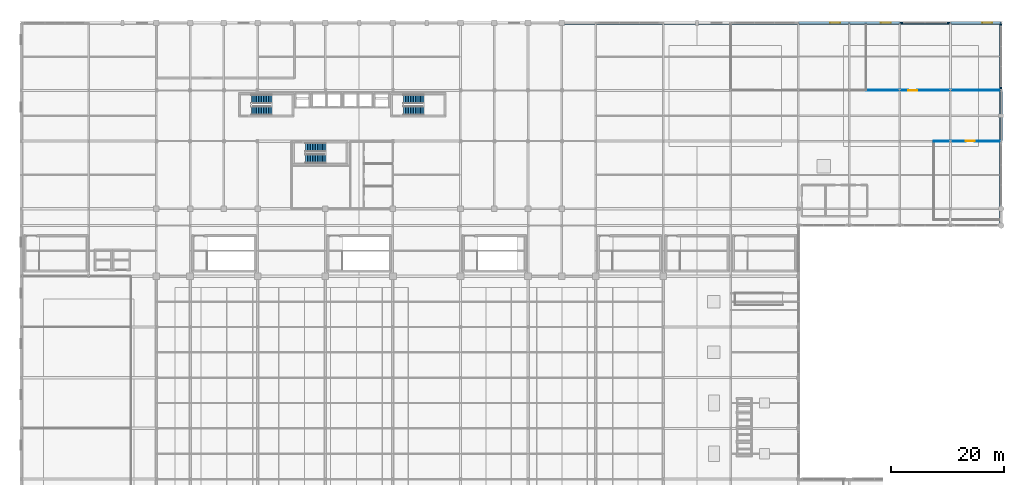
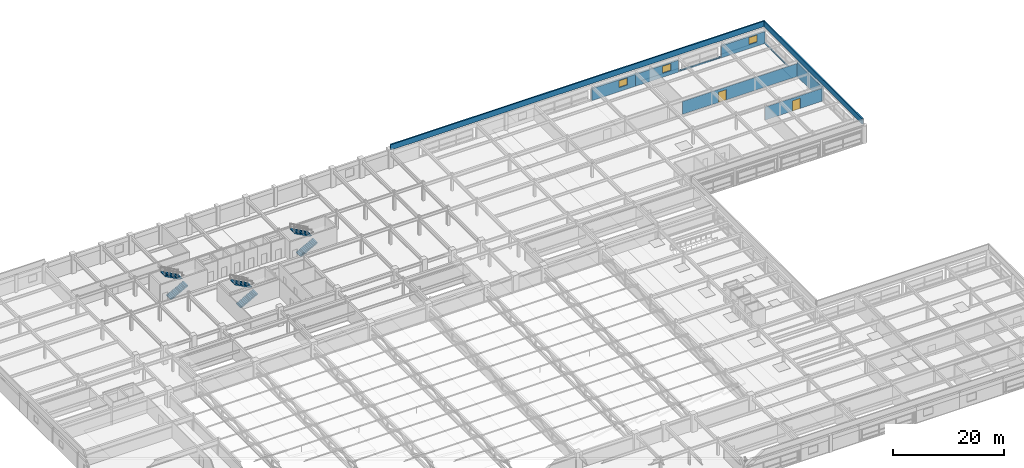
# One storey, part 99 of 108: 10 walls, 6 stair flights, 3 windows, 2 doors, 5 openings, 3 elements without a shape of their own.
"""IFC4 building model written with IfcOpenShell, lengths in metres."""

from ifc_helpers import new_model, si_unit, direction, frame, frame_2d, origin, place, context, subcontext, project, spatial, polyline, rectangle, outline, extrude, material, layer, layer_set, type_object, element, fill, aggregate, save


model = new_model("IFC4")

# Units and contexts
model_context = context("Model", 3, precision=1e-05, world=origin(), true_north=direction((0.0, 1.0)))
body_context = subcontext(model_context, "Body", "Model", "MODEL_VIEW")
ifc_project = project(units=[si_unit("LENGTHUNIT", "METRE"), si_unit("AREAUNIT", "SQUARE_METRE"), si_unit("VOLUMEUNIT", "CUBIC_METRE"), si_unit("PLANEANGLEUNIT", "RADIAN"), si_unit("MASSUNIT", "GRAM", prefix="KILO")], contexts=[model_context])

# Site, building, storey
site_placement = place(None, origin())
site = spatial("IfcSite", under=ifc_project, at=site_placement, CompositionType="ELEMENT")
building_placement = place(site_placement, origin())
building = spatial("IfcBuilding", under=site, at=building_placement, Name="Kaldorvane Square Convention Centre", CompositionType="ELEMENT")
storey_placement = place(building_placement, frame((0.0, 0.0, 23.399993896484375)))
storey = spatial("IfcBuildingStorey", under=building, at=storey_placement, Name="L04", CompositionType="ELEMENT", Elevation=23.399993896484375)

# Wall, opening, window
ifc_material_1 = material(Name="Concrete f'c = 42 MPa (Normalweight)", Category="concrete")
ifc_layer_1 = layer(ifc_material_1, 0.3800048828125)
ifc_layer_set_1 = layer_set([ifc_layer_1], Name="Concrete f'c = 42 MPa (Normalweight)")
wall_type_1 = type_object("IfcWallType", Name="WL-EXT-380", PredefinedType="STANDARD", material=ifc_layer_set_1)
wall_1_placement = place(storey_placement, frame((147.0, 117.0, 0.0), z_axis=(0.0, 0.0, 1.0), x_axis=(-1.0, 0.0, 0.0)))
wall_1 = element("IfcWall", 1, at=wall_1_placement, inside=storey, type_object=wall_type_1, Name="North Square Brutalist Facade Wall (L04)", PredefinedType="STANDARD", context=body_context, shape_type="SweptSolid", body=[
    extrude(rectangle(XDim=9.0, YDim=0.3800048828125, at=frame_2d((4.5, 0.0))), origin(), (0.0, 0.0, 1.0), 2.626007080078125),
])
opening_1_placement = place(wall_1_placement, frame((1.600006103515625, 0.0, 0.899993896484375)))
opening_1 = element("IfcOpeningElement", 2, at=opening_1_placement, cuts=wall_1, Name="Opening W-22", PredefinedType="OPENING", context=body_context, shape_type="SweptSolid", body=[
    extrude(rectangle(XDim=1.75, YDim=1.5099945068359375, at=frame_2d((0.875, 0.7550048828125))), frame((0.0, 0.2050018310546875, 0.0), z_axis=(0.0, -1.0, 0.0), x_axis=(1.0, 0.0, 0.0)), (0.0, 0.0, 1.0), 0.410003662109375),
])
ifc_material_2 = material(Name="Anodized Aluminum and Low-E Insulated Glazing", Category="aluminium")
window_type = type_object("IfcWindowType", Name="WN-POD-1750X1750", PartitioningType="SINGLE_PANEL", PredefinedType="WINDOW", material=ifc_material_2)
window_1_placement = place(opening_1_placement, origin())
window_1 = element("IfcWindow", 3, at=window_1_placement, inside=storey, type_object=window_type, Name="North Facade Window (L04)", OverallHeight=1.5099945068359375, OverallWidth=1.75, PartitioningType="SINGLE_PANEL", PredefinedType="WINDOW", context=body_context, shape_type="SweptSolid", body=[
    extrude(rectangle(XDim=1.75, YDim=1.5099945068359375, at=frame_2d((0.875, 0.7550048828125))), frame((0.0, 0.029998779296875, 0.0), z_axis=(0.0, -1.0, 0.0), x_axis=(1.0, 0.0, 0.0)), (0.0, 0.0, 1.0), 0.05999755859375),
])
fill(opening_1, window_1)

wall_2_placement = place(storey_placement, frame((156.0, 117.0, 0.0), z_axis=(0.0, 0.0, 1.0), x_axis=(-1.0, 0.0, 0.0)))
wall_2 = element("IfcWall", 4, at=wall_2_placement, inside=storey, type_object=wall_type_1, Name="North Square Brutalist Facade Wall (L04)", PredefinedType="STANDARD", context=body_context, shape_type="SweptSolid", body=[
    extrude(rectangle(XDim=9.0, YDim=0.3800048828125, at=frame_2d((4.5, 0.0))), origin(), (0.0, 0.0, 1.0), 2.626007080078125),
])
opening_2_placement = place(wall_2_placement, frame((1.600006103515625, 0.0, 0.899993896484375)))
opening_2 = element("IfcOpeningElement", 5, at=opening_2_placement, cuts=wall_2, Name="Opening W-22", PredefinedType="OPENING", context=body_context, shape_type="SweptSolid", body=[
    extrude(rectangle(XDim=1.75, YDim=1.5099945068359375, at=frame_2d((0.875, 0.7550048828125))), frame((0.0, 0.2050018310546875, 0.0), z_axis=(0.0, -1.0, 0.0), x_axis=(1.0, 0.0, 0.0)), (0.0, 0.0, 1.0), 0.410003662109375),
])
window_2_placement = place(opening_2_placement, origin())
window_2 = element("IfcWindow", 6, at=window_2_placement, inside=storey, type_object=window_type, Name="North Facade Window (L04)", OverallHeight=1.5099945068359375, OverallWidth=1.75, PartitioningType="SINGLE_PANEL", PredefinedType="WINDOW", context=body_context, shape_type="SweptSolid", body=[
    extrude(rectangle(XDim=1.75, YDim=1.5099945068359375, at=frame_2d((0.875, 0.7550048828125))), frame((0.0, 0.029998779296875, 0.0), z_axis=(0.0, -1.0, 0.0), x_axis=(1.0, 0.0, 0.0)), (0.0, 0.0, 1.0), 0.05999755859375),
])
fill(opening_2, window_2)

wall_3_placement = place(storey_placement, frame((174.0, 117.0, 0.0), z_axis=(0.0, 0.0, 1.0), x_axis=(-1.0, 0.0, 0.0)))
wall_3 = element("IfcWall", 7, at=wall_3_placement, inside=storey, type_object=wall_type_1, Name="North Square Brutalist Facade Wall (L04)", PredefinedType="STANDARD", context=body_context, shape_type="SweptSolid", body=[
    extrude(rectangle(XDim=9.0, YDim=0.3800048828125, at=frame_2d((4.5, 0.0))), origin(), (0.0, 0.0, 1.0), 2.626007080078125),
])
opening_3_placement = place(wall_3_placement, frame((1.600006103515625, 0.0, 0.899993896484375)))
opening_3 = element("IfcOpeningElement", 8, at=opening_3_placement, cuts=wall_3, Name="Opening W-22", PredefinedType="OPENING", context=body_context, shape_type="SweptSolid", body=[
    extrude(rectangle(XDim=1.75, YDim=1.5099945068359375, at=frame_2d((0.875, 0.7550048828125))), frame((0.0, 0.2050018310546875, 0.0), z_axis=(0.0, -1.0, 0.0), x_axis=(1.0, 0.0, 0.0)), (0.0, 0.0, 1.0), 0.410003662109375),
])
window_3_placement = place(opening_3_placement, origin())
window_3 = element("IfcWindow", 9, at=window_3_placement, inside=storey, type_object=window_type, Name="North Facade Window (L04)", OverallHeight=1.5099945068359375, OverallWidth=1.75, PartitioningType="SINGLE_PANEL", PredefinedType="WINDOW", context=body_context, shape_type="SweptSolid", body=[
    extrude(rectangle(XDim=1.75, YDim=1.5099945068359375, at=frame_2d((0.875, 0.7550048828125))), frame((0.0, 0.029998779296875, 0.0), z_axis=(0.0, -1.0, 0.0), x_axis=(1.0, 0.0, 0.0)), (0.0, 0.0, 1.0), 0.05999755859375),
])
fill(opening_3, window_3)

# Walls
wall_4_placement = place(storey_placement, frame((174.0, 96.0, 0.0), z_axis=(0.0, 0.0, 1.0), x_axis=(0.0, 1.0, 0.0)))
element("IfcWall", 10, at=wall_4_placement, inside=storey, type_object=wall_type_1, Name="East Square Brutalist Wing Wall (L04)", PredefinedType="STANDARD", context=body_context, shape_type="SweptSolid", body=[
    extrude(rectangle(XDim=9.0, YDim=0.3800048828125, at=frame_2d((4.5, 0.0))), origin(), (0.0, 0.0, 1.0), 3.1190032958984375),
])
ifc_material_3 = material(Name="Concrete f'c = 35 MPa (Normalweight)", Category="concrete")
ifc_layer_2 = layer(ifc_material_3, 0.279998779296875)
ifc_layer_set_2 = layer_set([ifc_layer_2], Name="Concrete f'c = 35 MPa (Normalweight)")
wall_type_2 = type_object("IfcWallType", Name="WL-PAR-280", PredefinedType="PARAPET", material=ifc_layer_set_2)
wall_5_placement = place(storey_placement, frame((165.0, 117.0, 0.0), z_axis=(0.0, 0.0, 1.0), x_axis=(-1.0, 0.0, 0.0)))
element("IfcWall", 11, at=wall_5_placement, inside=storey, type_object=wall_type_2, Name="North Curtain-Wall Sill Kerb (L04)", PredefinedType="PARAPET", context=body_context, shape_type="SweptSolid", body=[
    extrude(rectangle(XDim=9.0, YDim=0.279998779296875, at=frame_2d((4.5, 0.0))), origin(), (0.0, 0.0, 1.0), 0.20001220703125),
])
wall_6_placement = place(storey_placement, frame((174.0, 105.0, 0.0), z_axis=(0.0, 0.0, 1.0), x_axis=(0.0, 1.0, 0.0)))
element("IfcWall", 12, at=wall_6_placement, inside=storey, type_object=wall_type_2, Name="East Curtain-Wall Sill Kerb (L04)", PredefinedType="PARAPET", context=body_context, shape_type="SweptSolid", body=[
    extrude(rectangle(XDim=12.0, YDim=0.279998779296875, at=frame_2d((6.0, 0.0))), origin(), (0.0, 0.0, 1.0), 0.20001220703125),
])
wall_7_placement = place(storey_placement, frame((173.86000061035156, 81.27999877929688, 3.850006103515625), z_axis=(0.0, 0.0, 1.0), x_axis=(0.0, 1.0, 0.0)))
element("IfcWall", 13, at=wall_7_placement, inside=storey, type_object=wall_type_2, Name="Podium Roof Parapet EN", PredefinedType="PARAPET", context=body_context, shape_type="SweptSolid", body=[
    extrude(rectangle(XDim=35.44000244140625, YDim=0.279998779296875, at=frame_2d((17.720001220703125, 0.0))), origin(), (0.0, 0.0, 1.0), 1.1999969482421875),
])
wall_8_placement = place(storey_placement, frame((174.0, 116.86000061035156, 3.850006103515625), z_axis=(0.0, 0.0, 1.0), x_axis=(-1.0, 0.0, 0.0)))
element("IfcWall", 14, at=wall_8_placement, inside=storey, type_object=wall_type_2, Name="Podium Roof Parapet NE", PredefinedType="PARAPET", context=body_context, shape_type="SweptSolid", body=[
    extrude(rectangle(XDim=78.0, YDim=0.279998779296875, at=frame_2d((39.0, 0.0))), origin(), (0.0, 0.0, 1.0), 1.1999969482421875),
])

# Wall, opening, door
ifc_material_4 = material(Name="Fire-Rated Gypsum Board on Acoustic Steel Studs", Category="steel")
ifc_layer_3 = layer(ifc_material_4, 0.1649932861328125)
ifc_layer_set_3 = layer_set([ifc_layer_3], Name="Fire-Rated Gypsum Board on Acoustic Steel Studs")
wall_type_3 = type_object("IfcWallType", Name="WL-PART-165", PredefinedType="PARTITIONING", material=ifc_layer_set_3)
wall_9_placement = place(storey_placement, frame((173.80999755859375, 96.0, 0.0), z_axis=(0.0, 0.0, 1.0), x_axis=(-1.0, 0.0, 0.0)))
wall_9 = element("IfcWall", 15, at=wall_9_placement, inside=storey, type_object=wall_type_3, Name="Meeting Room 408 N Wall", PredefinedType="PARTITIONING", context=body_context, shape_type="SweptSolid", body=[
    extrude(rectangle(XDim=11.80999755859375, YDim=0.1649932861328125, at=frame_2d((5.904998779296875, 0.0))), origin(), (0.0, 0.0, 1.0), 2.837005615234375),
])
opening_4_placement = place(wall_9_placement, frame((4.5, 0.0, 0.0)))
opening_4 = element("IfcOpeningElement", 16, at=opening_4_placement, cuts=wall_9, Name="Opening ID-07", PredefinedType="OPENING", context=body_context, shape_type="SweptSolid", body=[
    extrude(rectangle(XDim=1.600006103515625, YDim=2.25, at=frame_2d((0.8000030517578125, 1.125))), frame((0.0, 0.097503662109375, 0.0), z_axis=(0.0, -1.0, 0.0), x_axis=(1.0, 0.0, 0.0)), (0.0, 0.0, 1.0), 0.1949920654296875),
])
ifc_material_5 = material(Name="Architectural Solid-Core White Oak")
door_type = type_object("IfcDoorType", Name="DR-MEET-1600X2250", OperationType="DOUBLE_DOOR_SINGLE_SWING", PredefinedType="DOOR", material=ifc_material_5)
door_1_placement = place(opening_4_placement, origin())
door_1 = element("IfcDoor", 17, at=door_1_placement, inside=storey, type_object=door_type, Name="Meeting Room 408 Door 1", OperationType="DOUBLE_DOOR_SINGLE_SWING", OverallHeight=2.25, OverallWidth=1.600006103515625, PredefinedType="DOOR", context=body_context, shape_type="SweptSolid", body=[
    extrude(rectangle(XDim=1.600006103515625, YDim=2.25, at=frame_2d((0.8000030517578125, 1.125))), frame((0.0, 0.024993896484375, 0.0), z_axis=(0.0, -1.0, 0.0), x_axis=(1.0, 0.0, 0.0)), (0.0, 0.0, 1.0), 0.0500030517578125),
])
fill(opening_4, door_1)

wall_10_placement = place(storey_placement, frame((150.0, 105.0, 0.0), z_axis=(0.0, 0.0, 1.0), x_axis=(1.0, 0.0, 0.0)))
wall_10 = element("IfcWall", 18, at=wall_10_placement, inside=storey, type_object=wall_type_3, Name="Meeting Room 410 S Wall", PredefinedType="PARTITIONING", context=body_context, shape_type="SweptSolid", body=[
    extrude(rectangle(XDim=23.80999755859375, YDim=0.1649932861328125, at=frame_2d((11.904998779296875, 0.0))), origin(), (0.0, 0.0, 1.0), 2.837005615234375),
])
opening_5_placement = place(wall_10_placement, frame((7.5, 0.0, 0.0)))
opening_5 = element("IfcOpeningElement", 19, at=opening_5_placement, cuts=wall_10, Name="Opening ID-07", PredefinedType="OPENING", context=body_context, shape_type="SweptSolid", body=[
    extrude(rectangle(XDim=1.600006103515625, YDim=2.25, at=frame_2d((0.8000030517578125, 1.125))), frame((0.0, 0.097503662109375, 0.0), z_axis=(0.0, -1.0, 0.0), x_axis=(1.0, 0.0, 0.0)), (0.0, 0.0, 1.0), 0.1949920654296875),
])
door_2_placement = place(opening_5_placement, origin())
door_2 = element("IfcDoor", 20, at=door_2_placement, inside=storey, type_object=door_type, Name="Meeting Room 410 Door 1", OperationType="DOUBLE_DOOR_SINGLE_SWING", OverallHeight=2.25, OverallWidth=1.600006103515625, PredefinedType="DOOR", context=body_context, shape_type="SweptSolid", body=[
    extrude(rectangle(XDim=1.600006103515625, YDim=2.25, at=frame_2d((0.8000030517578125, 1.125))), frame((0.0, 0.024993896484375, 0.0), z_axis=(0.0, -1.0, 0.0), x_axis=(1.0, 0.0, 0.0)), (0.0, 0.0, 1.0), 0.0500030517578125),
])
fill(opening_5, door_2)

# Stair, stair flights
stair_type = type_object("IfcStairType", Name="ST-DL-1600-4200", PredefinedType="HALF_TURN_STAIR", material=ifc_material_1)
stair_1_placement = place(storey_placement, origin())
stair_1 = element("IfcStair", 21, at=stair_1_placement, inside=storey, type_object=stair_type, Name="Tower Exit Stair T1 (L04)", PredefinedType="HALF_TURN_STAIR")
stair_flight_type = type_object("IfcStairFlightType", Name="SF-STR-1600-13R", PredefinedType="STRAIGHT", material=ifc_material_1)
stair_flight_1_placement = place(storey_placement, frame((40.899993896484375, 101.41000366210938, 0.0), z_axis=(0.0, 0.0, 1.0), x_axis=(1.0, 0.0, 0.0)))
stair_flight_1 = element("IfcStairFlight", 22, at=stair_flight_1_placement, type_object=stair_flight_type, Name="Tower Exit Stair T1 Flight 1 (L04)", NumberOfRisers=13, NumberOfTreads=12, PredefinedType="STRAIGHT", RiserHeight=0.161538462, TreadLength=0.3, context=body_context, shape_type="SweptSolid", body=[
    extrude(outline(polyline([(0.0, 0.0), (0.0, 0.1615447998046875), (0.3000030517578125, 0.1615447998046875), (0.3000030517578125, 0.3230743408203125), (0.600006103515625, 0.3230743408203125), (0.600006103515625, 0.484619140625), (0.899993896484375, 0.484619140625), (0.899993896484375, 0.646148681640625), (1.1999969482421875, 0.646148681640625), (1.1999969482421875, 0.8076934814453125), (1.5, 0.8076934814453125), (1.5, 0.96923828125), (1.8000030517578125, 0.96923828125), (1.8000030517578125, 1.130767822265625), (2.100006103515625, 1.130767822265625), (2.100006103515625, 1.2923126220703125), (2.399993896484375, 1.2923126220703125), (2.399993896484375, 1.4538421630859375), (2.6999969482421875, 1.4538421630859375), (2.6999969482421875, 1.615386962890625), (3.0, 1.615386962890625), (3.0, 1.77691650390625), (3.3000030517578125, 1.77691650390625), (3.3000030517578125, 1.9384613037109375), (3.600006103515625, 1.9384613037109375), (3.600006103515625, 2.100006103515625), (3.600006103515625, 1.7113189697265625), (0.421844482421875, 0.0), (0.0, 0.0)])), frame((0.0, 0.8000030517578125, 0.0), z_axis=(0.0, -1.0, 0.0), x_axis=(1.0, 0.0, 0.0)), (0.0, 0.0, 1.0), 1.600006103515625),
])
stair_flight_2_placement = place(storey_placement, frame((44.5, 103.44999694824219, 2.100006103515625), z_axis=(0.0, 0.0, 1.0), x_axis=(-1.0, 0.0, 0.0)))
stair_flight_2 = element("IfcStairFlight", 23, at=stair_flight_2_placement, type_object=stair_flight_type, Name="Tower Exit Stair T1 Flight 2 (L04)", NumberOfRisers=13, NumberOfTreads=12, PredefinedType="STRAIGHT", RiserHeight=0.161538462, TreadLength=0.3, context=body_context, shape_type="SweptSolid", body=[
    extrude(outline(polyline([(0.0, 0.0), (0.0, 0.1615447998046875), (0.3000030517578125, 0.1615447998046875), (0.3000030517578125, 0.3230743408203125), (0.600006103515625, 0.3230743408203125), (0.600006103515625, 0.484619140625), (0.899993896484375, 0.484619140625), (0.899993896484375, 0.646148681640625), (1.1999969482421875, 0.646148681640625), (1.1999969482421875, 0.8076934814453125), (1.5, 0.8076934814453125), (1.5, 0.96923828125), (1.8000030517578125, 0.96923828125), (1.8000030517578125, 1.130767822265625), (2.100006103515625, 1.130767822265625), (2.100006103515625, 1.2923126220703125), (2.399993896484375, 1.2923126220703125), (2.399993896484375, 1.4538421630859375), (2.6999969482421875, 1.4538421630859375), (2.6999969482421875, 1.615386962890625), (3.0, 1.615386962890625), (3.0, 1.77691650390625), (3.3000030517578125, 1.77691650390625), (3.3000030517578125, 1.9384613037109375), (3.600006103515625, 1.9384613037109375), (3.600006103515625, 2.100006103515625), (3.600006103515625, 1.7113189697265625), (0.421844482421875, 0.0), (0.0, 0.0)])), frame((0.0, 0.8000030517578125, 0.0), z_axis=(0.0, -1.0, 0.0), x_axis=(1.0, 0.0, 0.0)), (0.0, 0.0, 1.0), 1.600006103515625),
])
aggregate(stair_1, [stair_flight_1, stair_flight_2])

stair_2_placement = place(storey_placement, origin())
stair_2 = element("IfcStair", 24, at=stair_2_placement, inside=storey, type_object=stair_type, Name="Tower Exit Stair T2 (L04)", PredefinedType="HALF_TURN_STAIR")
stair_flight_3_placement = place(storey_placement, frame((67.89999389648438, 101.41000366210938, 0.0), z_axis=(0.0, 0.0, 1.0), x_axis=(1.0, 0.0, 0.0)))
stair_flight_3 = element("IfcStairFlight", 25, at=stair_flight_3_placement, type_object=stair_flight_type, Name="Tower Exit Stair T2 Flight 1 (L04)", NumberOfRisers=13, NumberOfTreads=12, PredefinedType="STRAIGHT", RiserHeight=0.161538462, TreadLength=0.3, context=body_context, shape_type="SweptSolid", body=[
    extrude(outline(polyline([(0.0, 0.0), (0.0, 0.1615447998046875), (0.3000030517578125, 0.1615447998046875), (0.3000030517578125, 0.3230743408203125), (0.600006103515625, 0.3230743408203125), (0.600006103515625, 0.484619140625), (0.899993896484375, 0.484619140625), (0.899993896484375, 0.646148681640625), (1.1999969482421875, 0.646148681640625), (1.1999969482421875, 0.8076934814453125), (1.5, 0.8076934814453125), (1.5, 0.96923828125), (1.8000030517578125, 0.96923828125), (1.8000030517578125, 1.130767822265625), (2.100006103515625, 1.130767822265625), (2.100006103515625, 1.2923126220703125), (2.399993896484375, 1.2923126220703125), (2.399993896484375, 1.4538421630859375), (2.6999969482421875, 1.4538421630859375), (2.6999969482421875, 1.615386962890625), (3.0, 1.615386962890625), (3.0, 1.77691650390625), (3.3000030517578125, 1.77691650390625), (3.3000030517578125, 1.9384613037109375), (3.600006103515625, 1.9384613037109375), (3.600006103515625, 2.100006103515625), (3.600006103515625, 1.7113189697265625), (0.421844482421875, 0.0), (0.0, 0.0)])), frame((0.0, 0.8000030517578125, 0.0), z_axis=(0.0, -1.0, 0.0), x_axis=(1.0, 0.0, 0.0)), (0.0, 0.0, 1.0), 1.600006103515625),
])
stair_flight_4_placement = place(storey_placement, frame((71.5, 103.44999694824219, 2.100006103515625), z_axis=(0.0, 0.0, 1.0), x_axis=(-1.0, 0.0, 0.0)))
stair_flight_4 = element("IfcStairFlight", 26, at=stair_flight_4_placement, type_object=stair_flight_type, Name="Tower Exit Stair T2 Flight 2 (L04)", NumberOfRisers=13, NumberOfTreads=12, PredefinedType="STRAIGHT", RiserHeight=0.161538462, TreadLength=0.3, context=body_context, shape_type="SweptSolid", body=[
    extrude(outline(polyline([(0.0, 0.0), (0.0, 0.1615447998046875), (0.3000030517578125, 0.1615447998046875), (0.3000030517578125, 0.3230743408203125), (0.600006103515625, 0.3230743408203125), (0.600006103515625, 0.484619140625), (0.899993896484375, 0.484619140625), (0.899993896484375, 0.646148681640625), (1.1999969482421875, 0.646148681640625), (1.1999969482421875, 0.8076934814453125), (1.5, 0.8076934814453125), (1.5, 0.96923828125), (1.8000030517578125, 0.96923828125), (1.8000030517578125, 1.130767822265625), (2.100006103515625, 1.130767822265625), (2.100006103515625, 1.2923126220703125), (2.399993896484375, 1.2923126220703125), (2.399993896484375, 1.4538421630859375), (2.6999969482421875, 1.4538421630859375), (2.6999969482421875, 1.615386962890625), (3.0, 1.615386962890625), (3.0, 1.77691650390625), (3.3000030517578125, 1.77691650390625), (3.3000030517578125, 1.9384613037109375), (3.600006103515625, 1.9384613037109375), (3.600006103515625, 2.100006103515625), (3.600006103515625, 1.7113189697265625), (0.421844482421875, 0.0), (0.0, 0.0)])), frame((0.0, 0.8000030517578125, 0.0), z_axis=(0.0, -1.0, 0.0), x_axis=(1.0, 0.0, 0.0)), (0.0, 0.0, 1.0), 1.600006103515625),
])
aggregate(stair_2, [stair_flight_3, stair_flight_4])

stair_3_placement = place(storey_placement, origin())
stair_3 = element("IfcStair", 27, at=stair_3_placement, inside=storey, type_object=stair_type, Name="Tower Exit Stair T3 (L04)", PredefinedType="HALF_TURN_STAIR")
stair_flight_5_placement = place(storey_placement, frame((50.5, 92.86000061035156, 0.0), z_axis=(0.0, 0.0, 1.0), x_axis=(1.0, 0.0, 0.0)))
stair_flight_5 = element("IfcStairFlight", 28, at=stair_flight_5_placement, type_object=stair_flight_type, Name="Tower Exit Stair T3 Flight 1 (L04)", NumberOfRisers=13, NumberOfTreads=12, PredefinedType="STRAIGHT", RiserHeight=0.161538462, TreadLength=0.3, context=body_context, shape_type="SweptSolid", body=[
    extrude(outline(polyline([(0.0, 0.0), (0.0, 0.1615447998046875), (0.3000030517578125, 0.1615447998046875), (0.3000030517578125, 0.3230743408203125), (0.600006103515625, 0.3230743408203125), (0.600006103515625, 0.484619140625), (0.899993896484375, 0.484619140625), (0.899993896484375, 0.646148681640625), (1.1999969482421875, 0.646148681640625), (1.1999969482421875, 0.8076934814453125), (1.5, 0.8076934814453125), (1.5, 0.96923828125), (1.8000030517578125, 0.96923828125), (1.8000030517578125, 1.130767822265625), (2.100006103515625, 1.130767822265625), (2.100006103515625, 1.2923126220703125), (2.399993896484375, 1.2923126220703125), (2.399993896484375, 1.4538421630859375), (2.6999969482421875, 1.4538421630859375), (2.6999969482421875, 1.615386962890625), (3.0, 1.615386962890625), (3.0, 1.77691650390625), (3.3000030517578125, 1.77691650390625), (3.3000030517578125, 1.9384613037109375), (3.600006103515625, 1.9384613037109375), (3.600006103515625, 2.100006103515625), (3.600006103515625, 1.7113189697265625), (0.421844482421875, 0.0), (0.0, 0.0)])), frame((0.0, 0.8000030517578125, 0.0), z_axis=(0.0, -1.0, 0.0), x_axis=(1.0, 0.0, 0.0)), (0.0, 0.0, 1.0), 1.600006103515625),
])
stair_flight_6_placement = place(storey_placement, frame((54.100006103515625, 94.89999389648438, 2.100006103515625), z_axis=(0.0, 0.0, 1.0), x_axis=(-1.0, 0.0, 0.0)))
stair_flight_6 = element("IfcStairFlight", 29, at=stair_flight_6_placement, type_object=stair_flight_type, Name="Tower Exit Stair T3 Flight 2 (L04)", NumberOfRisers=13, NumberOfTreads=12, PredefinedType="STRAIGHT", RiserHeight=0.161538462, TreadLength=0.3, context=body_context, shape_type="SweptSolid", body=[
    extrude(outline(polyline([(0.0, 0.0), (0.0, 0.1615447998046875), (0.3000030517578125, 0.1615447998046875), (0.3000030517578125, 0.3230743408203125), (0.600006103515625, 0.3230743408203125), (0.600006103515625, 0.484619140625), (0.899993896484375, 0.484619140625), (0.899993896484375, 0.646148681640625), (1.1999969482421875, 0.646148681640625), (1.1999969482421875, 0.8076934814453125), (1.5, 0.8076934814453125), (1.5, 0.96923828125), (1.8000030517578125, 0.96923828125), (1.8000030517578125, 1.130767822265625), (2.100006103515625, 1.130767822265625), (2.100006103515625, 1.2923126220703125), (2.399993896484375, 1.2923126220703125), (2.399993896484375, 1.4538421630859375), (2.6999969482421875, 1.4538421630859375), (2.6999969482421875, 1.615386962890625), (3.0, 1.615386962890625), (3.0, 1.77691650390625), (3.3000030517578125, 1.77691650390625), (3.3000030517578125, 1.9384613037109375), (3.600006103515625, 1.9384613037109375), (3.600006103515625, 2.100006103515625), (3.600006103515625, 1.7113189697265625), (0.421844482421875, 0.0), (0.0, 0.0)])), frame((0.0, 0.8000030517578125, 0.0), z_axis=(0.0, -1.0, 0.0), x_axis=(1.0, 0.0, 0.0)), (0.0, 0.0, 1.0), 1.600006103515625),
])
aggregate(stair_3, [stair_flight_5, stair_flight_6])

save(model, "model.ifc")
